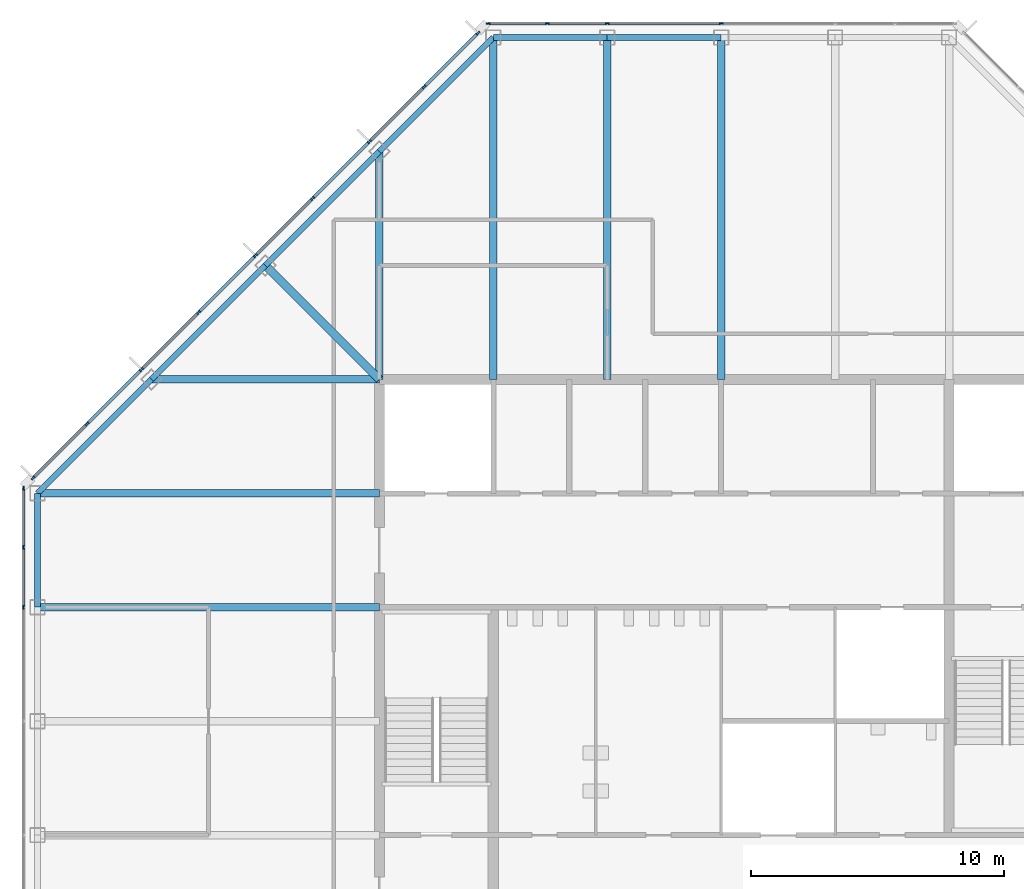
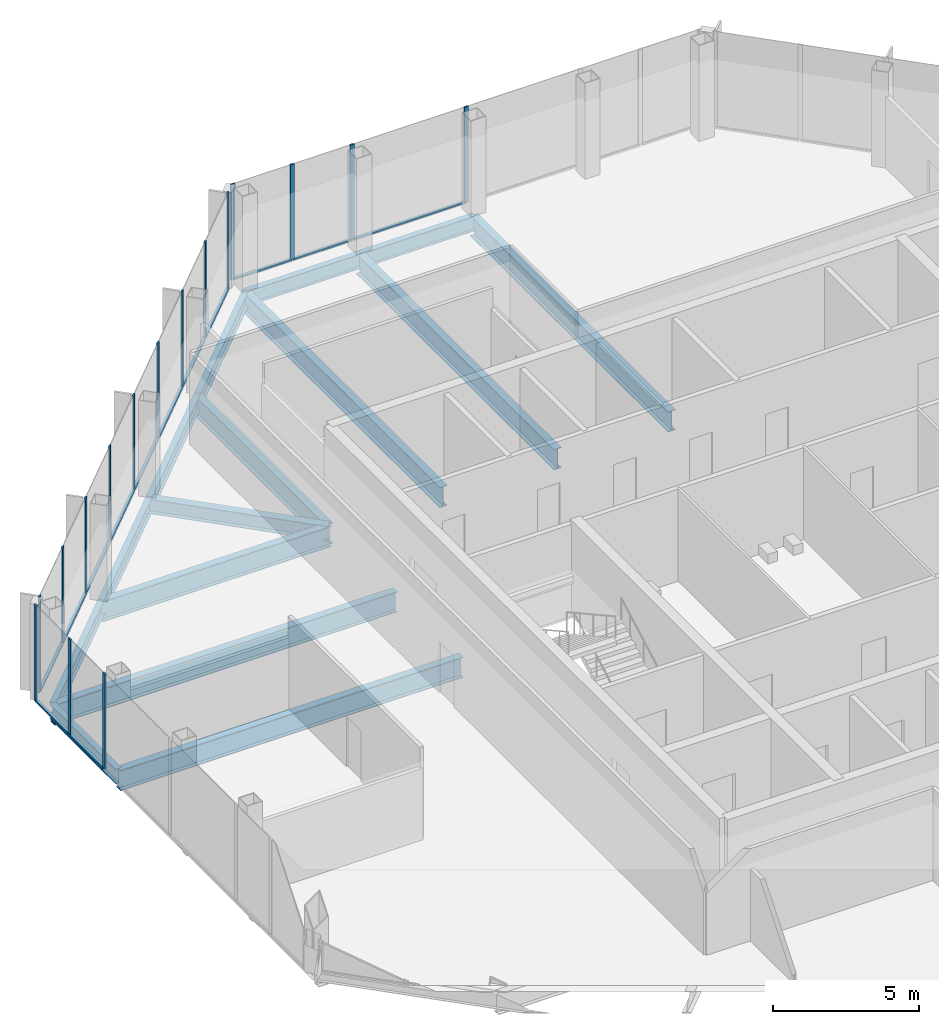
# One storey, part 6 of 13: 29 members, 15 beams, 3 elements without a shape of their own.
"""IFC4 building model written with IfcOpenShell, lengths in metres."""

import ifcopenshell
import ifcopenshell.guid

model = None  # the IFC model being written
_history = None  # IfcOwnerHistory: only IFC2X3 demands one
_inside = {}  # id of a spatial element -> (the spatial element, [elements in it])
_under = {}  # id of a project, library or spatial element -> (it, [spatial elements below it])
_declared = {}  # id of a project -> (the project, [libraries it declares])
_typed = {}  # id of a type object -> (the type object, [elements of that type])
_made_of = {}  # id of a material, layer set ... -> (it, [elements and type objects made of it])


def new_model(schema):
    """Start an empty IFC model of exactly this schema.

    Asked for "IFC4X3", IfcOpenShell would pick the latest addendum, in which some entities
    have other attributes; the version numbers below select the first issue.
    IFC2X3 requires an IfcOwnerHistory on every rooted entity: one is made here for all.
    """
    global model, _history
    if schema == "IFC4X3":
        model = ifcopenshell.file(schema_version=(4, 3, 0, 0))
    else:
        model = ifcopenshell.file(schema=schema)
    _inside.clear()
    _under.clear()
    _declared.clear()
    _typed.clear()
    _made_of.clear()
    _history = None
    if model.schema == "IFC2X3":
        org = make("IfcOrganization", Name="unknown")
        user = make(
            "IfcPersonAndOrganization",
            ThePerson=make("IfcPerson", FamilyName="unknown"),
            TheOrganization=org,
        )
        app = make(
            "IfcApplication",
            ApplicationDeveloper=org,
            Version="unknown",
            ApplicationFullName="unknown",
            ApplicationIdentifier="unknown",
        )
        _history = make(
            "IfcOwnerHistory",
            OwningUser=user,
            OwningApplication=app,
            ChangeAction="ADDED",
            CreationDate=0,
        )
    return model


def make(cls, **values):
    """One entity of the class cls with the attributes given. An attribute that is None is left unset."""
    return model.create_entity(
        cls, **{name: value for name, value in values.items() if value is not None}
    )


def rooted(cls, **values):
    """An entity with a GlobalId (a new one), such as an element, a storey or a relation."""
    return make(cls, GlobalId=ifcopenshell.guid.new(), OwnerHistory=_history, **values)


def si_unit(unit_type, name, prefix=None):
    """IfcSIUnit, for example si_unit("LENGTHUNIT", "METRE", prefix="MILLI")."""
    return make("IfcSIUnit", UnitType=unit_type, Prefix=prefix, Name=name)


def assignment(units):
    """IfcUnitAssignment: the units of a project."""
    return None if units is None else make("IfcUnitAssignment", Units=units)


def point(xyz):
    """IfcCartesianPoint."""
    return None if xyz is None else make("IfcCartesianPoint", Coordinates=xyz)


def direction(xyz):
    """IfcDirection."""
    return None if xyz is None else make("IfcDirection", DirectionRatios=xyz)


def frame(location, z_axis=None, x_axis=None):
    """IfcAxis2Placement3D, a coordinate frame: its origin and axes. An axis left out is left unset."""
    return make(
        "IfcAxis2Placement3D",
        Location=point(location),
        Axis=direction(z_axis),
        RefDirection=direction(x_axis),
    )


def frame_2d(location, x_axis=None):
    """IfcAxis2Placement2D, a coordinate frame in the plane: its origin and x axis."""
    return make(
        "IfcAxis2Placement2D", Location=point(location), RefDirection=direction(x_axis)
    )


def origin():
    """The frame at (0, 0, 0) with its axes left unset."""
    return frame((0.0, 0.0, 0.0))


def origin_2d():
    """The frame at (0, 0) in the plane with its x axis left unset."""
    return frame_2d((0.0, 0.0))


def place(relative_to, where):
    """IfcLocalPlacement: puts the frame where relative to a parent placement (None: the world)."""
    return make(
        "IfcLocalPlacement", PlacementRelTo=relative_to, RelativePlacement=where
    )


def context(
    kind, dimensions, precision=None, world=None, true_north=None, identifier=None
):
    """IfcGeometricRepresentationContext, for example the 3D "Model" context."""
    return make(
        "IfcGeometricRepresentationContext",
        ContextIdentifier=identifier,
        ContextType=kind,
        CoordinateSpaceDimension=dimensions,
        Precision=precision,
        WorldCoordinateSystem=world,
        TrueNorth=true_north,
    )


def subcontext(parent, identifier, kind, view, scale=None):
    """IfcGeometricRepresentationSubContext, for example "Body" below "Model"."""
    return make(
        "IfcGeometricRepresentationSubContext",
        ContextIdentifier=identifier,
        ContextType=kind,
        ParentContext=parent,
        TargetScale=scale,
        TargetView=view,
    )


def project(units=None, contexts=None):
    """IfcProject with its units and contexts."""
    return rooted(
        "IfcProject",
        Name="project",
        RepresentationContexts=contexts,
        UnitsInContext=assignment(units),
    )


def spatial(cls, under=None, at=None, **own):
    """A site, building, storey or space (cls), placed at a placement, below another one or the project."""
    s = rooted(cls, ObjectPlacement=at, **own)
    if under is not None:
        _under.setdefault(under.id(), (under, []))[1].append(s)
    return s


def profile(cls, at=None, kind="AREA", **sizes):
    """A parametric profile (cls). Its sizes go by their IFC names, for example OverallWidth=200.0."""
    return make(cls, ProfileType=kind, Position=at, **sizes)


def rectangle(**sizes):
    """IfcRectangleProfileDef."""
    return profile("IfcRectangleProfileDef", **sizes)


def i_section(**sizes):
    """IfcIShapeProfileDef."""
    return profile("IfcIShapeProfileDef", **sizes)


def extrude(swept, where, along, depth):
    """IfcExtrudedAreaSolid: the profile swept, set in the frame where, extruded along a direction by depth."""
    return make(
        "IfcExtrudedAreaSolid",
        SweptArea=swept,
        Position=where,
        ExtrudedDirection=direction(along),
        Depth=depth,
    )


def shape(context_of_items, identifier, shape_type, items):
    """IfcShapeRepresentation: the items that make up one representation, for example the "Body"."""
    return make(
        "IfcShapeRepresentation",
        ContextOfItems=context_of_items,
        RepresentationIdentifier=identifier,
        RepresentationType=shape_type,
        Items=items,
    )


def material(Name=None, Category=None):
    """IfcMaterial."""
    return make("IfcMaterial", Name=Name, Category=Category)


def material_profile(
    of_material, cross_section, Name=None, Category=None, Priority=None
):
    """IfcMaterialProfile: a cross section and its material."""
    return make(
        "IfcMaterialProfile",
        Name=Name,
        Material=of_material,
        Profile=cross_section,
        Priority=Priority,
        Category=Category,
    )


def profile_set(profiles, Name=None, composite=None):
    """IfcMaterialProfileSet."""
    return make(
        "IfcMaterialProfileSet",
        Name=Name,
        MaterialProfiles=profiles,
        CompositeProfile=composite,
    )


def made_of(thing, what):
    """Note that an element or type object is made of a material, layer set ...; save() writes the relation."""
    if what is not None:
        _made_of.setdefault(what.id(), (what, []))[1].append(thing)
    return thing


def type_object(cls, material=None, **own):
    """A type object (cls), such as IfcWallType, which elements share."""
    return made_of(rooted(cls, **own), material)


def element(
    cls,
    number,
    at=None,
    inside=None,
    cuts=None,
    type_object=None,
    material=None,
    context=None,
    identifier="Body",
    shape_type=None,
    held_by="IfcProductDefinitionShape",
    body=None,
    shapes=None,
    **own,
):
    """One element of the class cls, such as IfcWall. Its Tag is "e" and its number.

    at: its placement. inside: the storey or other place that contains it. cuts: it is an
    opening in that element (IfcRelVoidsElement). A single representation is given by context,
    identifier, shape_type and body (its items); several are given by shapes. held_by: the class
    of the entity that holds the representations. save() writes the other relations.
    """
    e = rooted(cls, Tag="e%d" % number, ObjectPlacement=at, **own)
    if body is not None:
        shapes = [shape(context, identifier, shape_type, body)]
    if shapes is not None:
        e.Representation = make(held_by, Representations=shapes)
    if inside is not None:
        _inside.setdefault(inside.id(), (inside, []))[1].append(e)
    if cuts is not None:
        rooted(
            "IfcRelVoidsElement", RelatingBuildingElement=cuts, RelatedOpeningElement=e
        )
    if type_object is not None:
        _typed.setdefault(type_object.id(), (type_object, []))[1].append(e)
    return made_of(e, material)


def aggregate(whole, parts):
    """IfcRelAggregates: a whole, such as a stair, and the parts it consists of."""
    return rooted("IfcRelAggregates", RelatingObject=whole, RelatedObjects=parts)


def save(model, path):
    """Write the relations noted so far, then the file.

    IfcRelAggregates (storeys below a building ...), IfcRelContainedInSpatialStructure (elements
    in a storey), IfcRelDefinesByType, IfcRelAssociatesMaterial and IfcRelDeclares: one each for
    every whole, place, type object, material and project.
    """
    for whole, parts in _under.values():
        aggregate(whole, parts)
    for where, things in _inside.values():
        rooted(
            "IfcRelContainedInSpatialStructure",
            RelatedElements=things,
            RelatingStructure=where,
        )
    for kind, things in _typed.values():
        rooted("IfcRelDefinesByType", RelatedObjects=things, RelatingType=kind)
    for what, things in _made_of.values():
        rooted("IfcRelAssociatesMaterial", RelatedObjects=things, RelatingMaterial=what)
    for by, libraries in _declared.values():
        rooted("IfcRelDeclares", RelatingContext=by, RelatedDefinitions=libraries)
    model.write(path)


model = new_model("IFC4")

# Units and contexts
model_context = context("Model", 3, precision=1e-05, world=origin(), true_north=direction((0.0, 1.0)))
body_context = subcontext(model_context, "Body", "Model", "MODEL_VIEW")
ifc_project = project(units=[si_unit("LENGTHUNIT", "METRE"), si_unit("AREAUNIT", "SQUARE_METRE"), si_unit("VOLUMEUNIT", "CUBIC_METRE"), si_unit("PLANEANGLEUNIT", "RADIAN"), si_unit("MASSUNIT", "GRAM", prefix="KILO")], contexts=[model_context])

# Site, building, storey
site_placement = place(None, origin())
site = spatial("IfcSite", under=ifc_project, at=site_placement, CompositionType="ELEMENT")
building_placement = place(site_placement, origin())
building = spatial("IfcBuilding", under=site, at=building_placement, Name="Corais Broadcast Tower", CompositionType="ELEMENT")
storey_placement = place(building_placement, frame((0.0, 0.0, 274.60009765625)))
storey = spatial("IfcBuildingStorey", under=building, at=storey_placement, Name="L64", CompositionType="ELEMENT", Elevation=274.60009765625)

# Beams
ifc_material_1 = material(Name="Steel ASTM A572 Grade 50", Category="steel")
ifc_material_profile_1 = material_profile(ifc_material_1, i_section(OverallWidth=0.323974609375, OverallDepth=0.611083984375, WebThickness=0.0126953125, FlangeThickness=0.01904296875, at=origin_2d()), Name="W610x155")
ifc_profile_set_1 = profile_set([ifc_material_profile_1], Name="Steel ASTM A572 Grade 50")
beam_type_1 = type_object("IfcBeamType", Name="Corner diagonal W610x155", PredefinedType="BEAM", material=ifc_profile_set_1)
beam_1_placement = place(storey_placement, frame((9.0, 45.0, -0.465576171875), z_axis=(0.707106781187, -0.707106781187, 0.0), x_axis=(0.707106781187, 0.707106781187, 0.0)))
element("IfcBeam", 1, at=beam_1_placement, inside=storey, type_object=beam_type_1, Name="B6 L/5 to K/6", PredefinedType="BEAM", context=body_context, shape_type="SweptSolid", body=[
    extrude(i_section(OverallWidth=0.323974609375, OverallDepth=0.611083984375, WebThickness=0.0126953125, FlangeThickness=0.01904296875, at=origin_2d()), origin(), (0.0, 0.0, 1.0), 6.364013671875),
])
ifc_material_2 = material(Name="Steel ASTM A572 Grade 50", Category="steel")
ifc_material_profile_2 = material_profile(ifc_material_2, i_section(OverallWidth=0.2939453125, OverallDepth=0.85107421875, WebThickness=0.01611328125, FlangeThickness=0.02685546875, at=origin_2d()), Name="W840x226")
ifc_profile_set_2 = profile_set([ifc_material_profile_2], Name="Steel ASTM A572 Grade 50")
beam_type_2 = type_object("IfcBeamType", Name="Floor beam W840x226", PredefinedType="BEAM", material=ifc_profile_set_2)
for number, where, z_axis, x_axis, name in (
    (2, (0.0, 31.5, -0.585693359375), (1.0, 0.0, 0.0), (0.0, 1.0, 0.0), "B1 H/3 to H/6"),
    (3, (0.0, 36.0, -0.585693359375), (1.0, 0.0, 0.0), (0.0, 1.0, 0.0), "B1 J/3 to J/6"),
):
    element("IfcBeam", number, at=place(storey_placement, frame(where, z_axis=z_axis, x_axis=x_axis)), inside=storey, type_object=beam_type_2, Name=name, PredefinedType="BEAM", context=body_context, shape_type="SweptSolid", body=[
        extrude(i_section(OverallWidth=0.2939453125, OverallDepth=0.85107421875, WebThickness=0.01611328125, FlangeThickness=0.02685546875, at=origin_2d()), origin(), (0.0, 0.0, 1.0), 13.5),
    ])
beam_2_placement = place(storey_placement, frame((13.5, 49.5, -0.585693359375), z_axis=(0.0, -1.0, 0.0), x_axis=(1.0, 0.0, 0.0)))
element("IfcBeam", 4, at=beam_2_placement, inside=storey, type_object=beam_type_2, Name="B1 M/6 to K/6", PredefinedType="BEAM", context=body_context, shape_type="SweptSolid", body=[
    extrude(i_section(OverallWidth=0.2939453125, OverallDepth=0.85107421875, WebThickness=0.01611328125, FlangeThickness=0.02685546875, at=origin_2d()), origin(), (0.0, 0.0, 1.0), 9.0),
])
for number, where, z_axis, x_axis, name in (
    (5, (18.0, 54.0, -0.585693359375), (0.0, -1.0, 0.0), (1.0, 0.0, 0.0), "B1 N/7 to K/7"),
    (6, (22.5, 54.0, -0.585693359375), (0.0, -1.0, 0.0), (1.0, 0.0, 0.0), "B1 N/8 to K/8"),
    (7, (27.0, 54.0, -0.585693359375), (0.0, -1.0, 0.0), (1.0, 0.0, 0.0), "B1 N/9 to K/9"),
):
    element("IfcBeam", number, at=place(storey_placement, frame(where, z_axis=z_axis, x_axis=x_axis)), inside=storey, type_object=beam_type_2, Name=name, PredefinedType="BEAM", context=body_context, shape_type="SweptSolid", body=[
        extrude(i_section(OverallWidth=0.2939453125, OverallDepth=0.85107421875, WebThickness=0.01611328125, FlangeThickness=0.02685546875, at=origin_2d()), origin(), (0.0, 0.0, 1.0), 13.5),
    ])
beam_3_placement = place(storey_placement, frame((4.5, 40.5, -0.585693359375), z_axis=(1.0, 0.0, 0.0), x_axis=(0.0, 1.0, 0.0)))
element("IfcBeam", 8, at=beam_3_placement, inside=storey, type_object=beam_type_2, Name="B1 K/4 to K/6", PredefinedType="BEAM", context=body_context, shape_type="SweptSolid", body=[
    extrude(i_section(OverallWidth=0.2939453125, OverallDepth=0.85107421875, WebThickness=0.01611328125, FlangeThickness=0.02685546875, at=origin_2d()), origin(), (0.0, 0.0, 1.0), 9.0),
])

# Curtain wall, members
ifc_material_3 = material(Name="Aluminium and glass", Category="aluminium")
curtain_wall_type = type_object("IfcCurtainWallType", Name="Unitised fritted curtain wall CW3", PredefinedType="NOTDEFINED", material=ifc_material_3)
curtain_wall_1_placement = place(storey_placement, origin())
curtain_wall_1 = element("IfcCurtainWall", 9, at=curtain_wall_1_placement, inside=storey, type_object=curtain_wall_type, Name="CW3 curtain wall L64 2", PredefinedType="NOTDEFINED")
ifc_material_4 = material(Name="Aluminium 6063-T6", Category="aluminium")
ifc_material_profile_3 = material_profile(ifc_material_4, rectangle(XDim=0.06494140625, YDim=0.159912109375, at=origin_2d()), Name="Mullion CW3 65x160")
ifc_profile_set_3 = profile_set([ifc_material_profile_3], Name="Aluminium 6063-T6")
member_type_1 = type_object("IfcMemberType", Name="Mullion CW3 65x160", PredefinedType="MULLION", material=ifc_profile_set_3)
member_1_placement = place(storey_placement, frame((-0.550048828125, 31.5, 0.0), z_axis=(0.0, 0.0, 1.0), x_axis=(-1.0, 0.0, 0.0)))
member_1 = element("IfcMember", 10, at=member_1_placement, type_object=member_type_1, Name="CW3 mullion 5", PredefinedType="MULLION", context=body_context, shape_type="SweptSolid", body=[
    extrude(rectangle(XDim=0.06494140625, YDim=0.159912109375, at=origin_2d()), origin(), (0.0, 0.0, 1.0), 4.0),
])
member_2_placement = place(storey_placement, frame((-0.550048828125, 33.864013671875, 0.0), z_axis=(0.0, 0.0, 1.0), x_axis=(-1.0, 0.0, 0.0)))
member_2 = element("IfcMember", 11, at=member_2_placement, type_object=member_type_1, Name="CW3 mullion 6", PredefinedType="MULLION", context=body_context, shape_type="SweptSolid", body=[
    extrude(rectangle(XDim=0.06494140625, YDim=0.159912109375, at=origin_2d()), origin(), (0.0, 0.0, 1.0), 4.0),
])
member_3_placement = place(storey_placement, frame((-0.550048828125, 36.1953125, 0.0), z_axis=(0.0, 0.0, 1.0), x_axis=(-1.0, 0.0, 0.0)))
member_3 = element("IfcMember", 12, at=member_3_placement, type_object=member_type_1, Name="CW3 mullion 7", PredefinedType="MULLION", context=body_context, shape_type="SweptSolid", body=[
    extrude(rectangle(XDim=0.06494140625, YDim=0.159912109375, at=origin_2d()), origin(), (0.0, 0.0, 1.0), 4.0),
])

curtain_wall_2_placement = place(storey_placement, origin())
curtain_wall_2 = element("IfcCurtainWall", 13, at=curtain_wall_2_placement, inside=storey, type_object=curtain_wall_type, Name="CW3 curtain wall L64 3", PredefinedType="NOTDEFINED")
member_4_placement = place(storey_placement, frame((-0.17333984375, 36.6044921875, 0.0), z_axis=(0.0, 0.0, 1.0), x_axis=(-0.707106781187, 0.707106781187, 0.0)))
member_4 = element("IfcMember", 14, at=member_4_placement, type_object=member_type_1, Name="CW3 mullion 1", PredefinedType="MULLION", context=body_context, shape_type="SweptSolid", body=[
    extrude(rectangle(XDim=0.06494140625, YDim=0.159912109375, at=origin_2d()), origin(), (0.0, 0.0, 1.0), 4.0),
])
member_5_placement = place(storey_placement, frame((1.957275390625, 38.735107421875, 0.0), z_axis=(0.0, 0.0, 1.0), x_axis=(-0.707106781187, 0.707106781187, 0.0)))
member_5 = element("IfcMember", 15, at=member_5_placement, type_object=member_type_1, Name="CW3 mullion 2", PredefinedType="MULLION", context=body_context, shape_type="SweptSolid", body=[
    extrude(rectangle(XDim=0.06494140625, YDim=0.159912109375, at=origin_2d()), origin(), (0.0, 0.0, 1.0), 4.0),
])
member_6_placement = place(storey_placement, frame((4.111083984375, 40.888916015625, 0.0), z_axis=(0.0, 0.0, 1.0), x_axis=(-0.707106781187, 0.707106781187, 0.0)))
member_6 = element("IfcMember", 16, at=member_6_placement, type_object=member_type_1, Name="CW3 mullion 3", PredefinedType="MULLION", context=body_context, shape_type="SweptSolid", body=[
    extrude(rectangle(XDim=0.06494140625, YDim=0.159912109375, at=origin_2d()), origin(), (0.0, 0.0, 1.0), 4.0),
])
member_7_placement = place(storey_placement, frame((6.361083984375, 43.138916015625, 0.0), z_axis=(0.0, 0.0, 1.0), x_axis=(-0.707106781187, 0.707106781187, 0.0)))
member_7 = element("IfcMember", 17, at=member_7_placement, type_object=member_type_1, Name="CW3 mullion 4", PredefinedType="MULLION", context=body_context, shape_type="SweptSolid", body=[
    extrude(rectangle(XDim=0.06494140625, YDim=0.159912109375, at=origin_2d()), origin(), (0.0, 0.0, 1.0), 4.0),
])
member_8_placement = place(storey_placement, frame((8.611083984375, 45.388916015625, 0.0), z_axis=(0.0, 0.0, 1.0), x_axis=(-0.707106781187, 0.707106781187, 0.0)))
member_8 = element("IfcMember", 18, at=member_8_placement, type_object=member_type_1, Name="CW3 mullion 5", PredefinedType="MULLION", context=body_context, shape_type="SweptSolid", body=[
    extrude(rectangle(XDim=0.06494140625, YDim=0.159912109375, at=origin_2d()), origin(), (0.0, 0.0, 1.0), 4.0),
])
member_9_placement = place(storey_placement, frame((10.861083984375, 47.638916015625, 0.0), z_axis=(0.0, 0.0, 1.0), x_axis=(-0.707106781187, 0.707106781187, 0.0)))
member_9 = element("IfcMember", 19, at=member_9_placement, type_object=member_type_1, Name="CW3 mullion 6", PredefinedType="MULLION", context=body_context, shape_type="SweptSolid", body=[
    extrude(rectangle(XDim=0.06494140625, YDim=0.159912109375, at=origin_2d()), origin(), (0.0, 0.0, 1.0), 4.0),
])
member_10_placement = place(storey_placement, frame((13.111083984375, 49.888916015625, 0.0), z_axis=(0.0, 0.0, 1.0), x_axis=(-0.707106781187, 0.707106781187, 0.0)))
member_10 = element("IfcMember", 20, at=member_10_placement, type_object=member_type_1, Name="CW3 mullion 7", PredefinedType="MULLION", context=body_context, shape_type="SweptSolid", body=[
    extrude(rectangle(XDim=0.06494140625, YDim=0.159912109375, at=origin_2d()), origin(), (0.0, 0.0, 1.0), 4.0),
])
member_11_placement = place(storey_placement, frame((15.264892578125, 52.042724609375, 0.0), z_axis=(0.0, 0.0, 1.0), x_axis=(-0.707106781187, 0.707106781187, 0.0)))
member_11 = element("IfcMember", 21, at=member_11_placement, type_object=member_type_1, Name="CW3 mullion 8", PredefinedType="MULLION", context=body_context, shape_type="SweptSolid", body=[
    extrude(rectangle(XDim=0.06494140625, YDim=0.159912109375, at=origin_2d()), origin(), (0.0, 0.0, 1.0), 4.0),
])
member_12_placement = place(storey_placement, frame((17.3955078125, 54.17333984375, 0.0), z_axis=(0.0, 0.0, 1.0), x_axis=(-0.707106781187, 0.707106781187, 0.0)))
member_12 = element("IfcMember", 22, at=member_12_placement, type_object=member_type_1, Name="CW3 mullion 9", PredefinedType="MULLION", context=body_context, shape_type="SweptSolid", body=[
    extrude(rectangle(XDim=0.06494140625, YDim=0.159912109375, at=origin_2d()), origin(), (0.0, 0.0, 1.0), 4.0),
])

curtain_wall_3_placement = place(storey_placement, origin())
curtain_wall_3 = element("IfcCurtainWall", 23, at=curtain_wall_3_placement, inside=storey, type_object=curtain_wall_type, Name="CW3 curtain wall L64 4", PredefinedType="NOTDEFINED")
member_13_placement = place(storey_placement, frame((17.8046875, 54.550048828125, 0.0), z_axis=(0.0, 0.0, 1.0), x_axis=(0.0, 1.0, 0.0)))
member_13 = element("IfcMember", 24, at=member_13_placement, type_object=member_type_1, Name="CW3 mullion 1", PredefinedType="MULLION", context=body_context, shape_type="SweptSolid", body=[
    extrude(rectangle(XDim=0.06494140625, YDim=0.159912109375, at=origin_2d()), origin(), (0.0, 0.0, 1.0), 4.0),
])
member_14_placement = place(storey_placement, frame((20.135986328125, 54.550048828125, 0.0), z_axis=(0.0, 0.0, 1.0), x_axis=(0.0, 1.0, 0.0)))
member_14 = element("IfcMember", 25, at=member_14_placement, type_object=member_type_1, Name="CW3 mullion 2", PredefinedType="MULLION", context=body_context, shape_type="SweptSolid", body=[
    extrude(rectangle(XDim=0.06494140625, YDim=0.159912109375, at=origin_2d()), origin(), (0.0, 0.0, 1.0), 4.0),
])
member_15_placement = place(storey_placement, frame((22.5, 54.550048828125, 0.0), z_axis=(0.0, 0.0, 1.0), x_axis=(0.0, 1.0, 0.0)))
member_15 = element("IfcMember", 26, at=member_15_placement, type_object=member_type_1, Name="CW3 mullion 3", PredefinedType="MULLION", context=body_context, shape_type="SweptSolid", body=[
    extrude(rectangle(XDim=0.06494140625, YDim=0.159912109375, at=origin_2d()), origin(), (0.0, 0.0, 1.0), 4.0),
])
member_16_placement = place(storey_placement, frame((27.0, 54.550048828125, 0.0), z_axis=(0.0, 0.0, 1.0), x_axis=(0.0, 1.0, 0.0)))
member_16 = element("IfcMember", 27, at=member_16_placement, type_object=member_type_1, Name="CW3 mullion 4", PredefinedType="MULLION", context=body_context, shape_type="SweptSolid", body=[
    extrude(rectangle(XDim=0.06494140625, YDim=0.159912109375, at=origin_2d()), origin(), (0.0, 0.0, 1.0), 4.0),
])

# Beams
ifc_material_5 = material(Name="Steel ASTM A572 Grade 50", Category="steel")
ifc_material_profile_4 = material_profile(ifc_material_5, i_section(OverallWidth=0.22998046875, OverallDepth=0.616943359375, WebThickness=0.01318359375, FlangeThickness=0.022216796875, at=origin_2d()), Name="W610x140")
ifc_profile_set_4 = profile_set([ifc_material_profile_4], Name="Steel ASTM A572 Grade 50")
beam_type_3 = type_object("IfcBeamType", Name="Spandrel W610x140", PredefinedType="BEAM", material=ifc_profile_set_4)
beam_4_placement = place(storey_placement, frame((0.0, 36.0, -0.468505859375), z_axis=(0.0, -1.0, 0.0), x_axis=(1.0, 0.0, 0.0)))
element("IfcBeam", 28, at=beam_4_placement, inside=storey, type_object=beam_type_3, Name="SB3 J/3 to H/3", PredefinedType="BEAM", context=body_context, shape_type="SweptSolid", body=[
    extrude(i_section(OverallWidth=0.22998046875, OverallDepth=0.616943359375, WebThickness=0.01318359375, FlangeThickness=0.022216796875, at=origin_2d()), origin(), (0.0, 0.0, 1.0), 4.5),
])
for number, where, z_axis, x_axis, name in (
    (29, (13.5, 49.5, -0.468505859375), (-0.707106781187, -0.707106781187, 0.0), (0.707106781187, -0.707106781187, 0.0), "SB3 M/6 to L/5"),
    (30, (18.0, 54.0, -0.468505859375), (-0.707106781187, -0.707106781187, 0.0), (0.707106781187, -0.707106781187, 0.0), "SB3 N/7 to M/6"),
):
    element("IfcBeam", number, at=place(storey_placement, frame(where, z_axis=z_axis, x_axis=x_axis)), inside=storey, type_object=beam_type_3, Name=name, PredefinedType="BEAM", context=body_context, shape_type="SweptSolid", body=[
        extrude(i_section(OverallWidth=0.22998046875, OverallDepth=0.616943359375, WebThickness=0.01318359375, FlangeThickness=0.022216796875, at=origin_2d()), origin(), (0.0, 0.0, 1.0), 6.364013671875),
    ])
for number, where, z_axis, x_axis, name in (
    (31, (22.5, 54.0, -0.468505859375), (-1.0, 0.0, 0.0), (0.0, -1.0, 0.0), "SB3 N/8 to N/7"),
    (32, (27.0, 54.0, -0.468505859375), (-1.0, 0.0, 0.0), (0.0, -1.0, 0.0), "SB3 N/9 to N/8"),
):
    element("IfcBeam", number, at=place(storey_placement, frame(where, z_axis=z_axis, x_axis=x_axis)), inside=storey, type_object=beam_type_3, Name=name, PredefinedType="BEAM", context=body_context, shape_type="SweptSolid", body=[
        extrude(i_section(OverallWidth=0.22998046875, OverallDepth=0.616943359375, WebThickness=0.01318359375, FlangeThickness=0.022216796875, at=origin_2d()), origin(), (0.0, 0.0, 1.0), 4.5),
    ])
for number, where, z_axis, x_axis, name in (
    (33, (4.5, 40.5, -0.468505859375), (-0.707106781187, -0.707106781187, 0.0), (0.707106781187, -0.707106781187, 0.0), "SB3 K/4 to J/3"),
    (34, (9.0, 45.0, -0.468505859375), (-0.707106781187, -0.707106781187, 0.0), (0.707106781187, -0.707106781187, 0.0), "SB3 L/5 to K/4"),
):
    element("IfcBeam", number, at=place(storey_placement, frame(where, z_axis=z_axis, x_axis=x_axis)), inside=storey, type_object=beam_type_3, Name=name, PredefinedType="BEAM", context=body_context, shape_type="SweptSolid", body=[
        extrude(i_section(OverallWidth=0.22998046875, OverallDepth=0.616943359375, WebThickness=0.01318359375, FlangeThickness=0.022216796875, at=origin_2d()), origin(), (0.0, 0.0, 1.0), 6.364013671875),
    ])

# Member
ifc_material_6 = material(Name="Aluminium 6063-T6", Category="aluminium")
ifc_material_profile_5 = material_profile(ifc_material_6, rectangle(XDim=0.1201171875, YDim=0.06494140625, at=origin_2d()), Name="Transom CW3 65x120")
ifc_profile_set_5 = profile_set([ifc_material_profile_5], Name="Aluminium 6063-T6")
member_type_2 = type_object("IfcMemberType", Name="Transom CW3 65x120", PredefinedType="USERDEFINED", material=ifc_profile_set_5)
member_17_placement = place(storey_placement, frame((-0.550048828125, 31.532470703125, 0.032470703125), z_axis=(0.0, 1.0, 0.0), x_axis=(-1.0, 0.0, 0.0)))
member_17 = element("IfcMember", 35, at=member_17_placement, type_object=member_type_2, Name="CW3 transom 5.1", ObjectType="TRANSOM", PredefinedType="USERDEFINED", context=body_context, shape_type="SweptSolid", body=[
    extrude(rectangle(XDim=0.1201171875, YDim=0.06494140625, at=origin_2d()), origin(), (0.0, 0.0, 1.0), 2.298828125),
])

member_18_placement = place(storey_placement, frame((-0.550048828125, 33.896484375, 0.032470703125), z_axis=(0.0, 1.0, 0.0), x_axis=(-1.0, 0.0, 0.0)))
member_18 = element("IfcMember", 36, at=member_18_placement, type_object=member_type_2, Name="CW3 transom 6.1", ObjectType="TRANSOM", PredefinedType="USERDEFINED", context=body_context, shape_type="SweptSolid", body=[
    extrude(rectangle(XDim=0.1201171875, YDim=0.06494140625, at=origin_2d()), origin(), (0.0, 0.0, 1.0), 2.266357421875),
])

aggregate(curtain_wall_1, [member_1, member_2, member_3, member_17, member_18])

member_19_placement = place(storey_placement, frame((-0.150390625, 36.62744140625, 0.032470703125), z_axis=(0.707106781187, 0.707106781187, 0.0), x_axis=(-0.707106781187, 0.707106781187, 0.0)))
member_19 = element("IfcMember", 37, at=member_19_placement, type_object=member_type_2, Name="CW3 transom 1.1", ObjectType="TRANSOM", PredefinedType="USERDEFINED", context=body_context, shape_type="SweptSolid", body=[
    extrude(rectangle(XDim=0.1201171875, YDim=0.06494140625, at=origin_2d()), origin(), (0.0, 0.0, 1.0), 2.9482421875),
])

member_20_placement = place(storey_placement, frame((1.980224609375, 38.758056640625, 0.032470703125), z_axis=(0.707106781187, 0.707106781187, 0.0), x_axis=(-0.707106781187, 0.707106781187, 0.0)))
member_20 = element("IfcMember", 38, at=member_20_placement, type_object=member_type_2, Name="CW3 transom 2.1", ObjectType="TRANSOM", PredefinedType="USERDEFINED", context=body_context, shape_type="SweptSolid", body=[
    extrude(rectangle(XDim=0.1201171875, YDim=0.06494140625, at=origin_2d()), origin(), (0.0, 0.0, 1.0), 2.98095703125),
])

member_21_placement = place(storey_placement, frame((4.134033203125, 40.911865234375, 0.032470703125), z_axis=(0.707106781187, 0.707106781187, 0.0), x_axis=(-0.707106781187, 0.707106781187, 0.0)))
member_21 = element("IfcMember", 39, at=member_21_placement, type_object=member_type_2, Name="CW3 transom 3.1", ObjectType="TRANSOM", PredefinedType="USERDEFINED", context=body_context, shape_type="SweptSolid", body=[
    extrude(rectangle(XDim=0.1201171875, YDim=0.06494140625, at=origin_2d()), origin(), (0.0, 0.0, 1.0), 3.1171875),
])

member_22_placement = place(storey_placement, frame((6.384033203125, 43.161865234375, 0.032470703125), z_axis=(0.707106781187, 0.707106781187, 0.0), x_axis=(-0.707106781187, 0.707106781187, 0.0)))
member_22 = element("IfcMember", 40, at=member_22_placement, type_object=member_type_2, Name="CW3 transom 4.1", ObjectType="TRANSOM", PredefinedType="USERDEFINED", context=body_context, shape_type="SweptSolid", body=[
    extrude(rectangle(XDim=0.1201171875, YDim=0.06494140625, at=origin_2d()), origin(), (0.0, 0.0, 1.0), 3.1171875),
])

member_23_placement = place(storey_placement, frame((8.634033203125, 45.411865234375, 0.032470703125), z_axis=(0.707106781187, 0.707106781187, 0.0), x_axis=(-0.707106781187, 0.707106781187, 0.0)))
member_23 = element("IfcMember", 41, at=member_23_placement, type_object=member_type_2, Name="CW3 transom 5.1", ObjectType="TRANSOM", PredefinedType="USERDEFINED", context=body_context, shape_type="SweptSolid", body=[
    extrude(rectangle(XDim=0.1201171875, YDim=0.06494140625, at=origin_2d()), origin(), (0.0, 0.0, 1.0), 3.1171875),
])

member_24_placement = place(storey_placement, frame((10.884033203125, 47.661865234375, 0.032470703125), z_axis=(0.707106781187, 0.707106781187, 0.0), x_axis=(-0.707106781187, 0.707106781187, 0.0)))
member_24 = element("IfcMember", 42, at=member_24_placement, type_object=member_type_2, Name="CW3 transom 6.1", ObjectType="TRANSOM", PredefinedType="USERDEFINED", context=body_context, shape_type="SweptSolid", body=[
    extrude(rectangle(XDim=0.1201171875, YDim=0.06494140625, at=origin_2d()), origin(), (0.0, 0.0, 1.0), 3.1171875),
])

member_25_placement = place(storey_placement, frame((13.134033203125, 49.911865234375, 0.032470703125), z_axis=(0.70714773134, 0.707065828661, 0.0), x_axis=(-0.707065828661, 0.70714773134, 0.0)))
member_25 = element("IfcMember", 43, at=member_25_placement, type_object=member_type_2, Name="CW3 transom 7.1", ObjectType="TRANSOM", PredefinedType="USERDEFINED", context=body_context, shape_type="SweptSolid", body=[
    extrude(rectangle(XDim=0.1201171875, YDim=0.06494140625, at=origin_2d()), origin(), (0.0, 0.0, 1.0), 2.98095703125),
])

member_26_placement = place(storey_placement, frame((15.287841796875, 52.065673828125, 0.032470703125), z_axis=(0.707106781187, 0.707106781187, 0.0), x_axis=(-0.707106781187, 0.707106781187, 0.0)))
member_26 = element("IfcMember", 44, at=member_26_placement, type_object=member_type_2, Name="CW3 transom 8.1", ObjectType="TRANSOM", PredefinedType="USERDEFINED", context=body_context, shape_type="SweptSolid", body=[
    extrude(rectangle(XDim=0.1201171875, YDim=0.06494140625, at=origin_2d()), origin(), (0.0, 0.0, 1.0), 2.9482421875),
])

aggregate(curtain_wall_2, [member_4, member_5, member_6, member_7, member_8, member_9, member_10, member_11, member_12, member_19, member_20, member_21, member_22, member_23, member_24, member_25, member_26])

member_27_placement = place(storey_placement, frame((17.837158203125, 54.550048828125, 0.032470703125), z_axis=(1.0, 0.0, 0.0), x_axis=(0.0, 1.0, 0.0)))
member_27 = element("IfcMember", 45, at=member_27_placement, type_object=member_type_2, Name="CW3 transom 1.1", ObjectType="TRANSOM", PredefinedType="USERDEFINED", context=body_context, shape_type="SweptSolid", body=[
    extrude(rectangle(XDim=0.1201171875, YDim=0.06494140625, at=origin_2d()), origin(), (0.0, 0.0, 1.0), 2.266357421875),
])

member_28_placement = place(storey_placement, frame((20.168701171875, 54.550048828125, 0.032470703125), z_axis=(1.0, 0.0, 0.0), x_axis=(0.0, 1.0, 0.0)))
member_28 = element("IfcMember", 46, at=member_28_placement, type_object=member_type_2, Name="CW3 transom 2.1", ObjectType="TRANSOM", PredefinedType="USERDEFINED", context=body_context, shape_type="SweptSolid", body=[
    extrude(rectangle(XDim=0.1201171875, YDim=0.06494140625, at=origin_2d()), origin(), (0.0, 0.0, 1.0), 2.298828125),
])

member_29_placement = place(storey_placement, frame((22.532470703125, 54.550048828125, 0.032470703125), z_axis=(1.0, 0.0, 0.0), x_axis=(0.0, 1.0, 0.0)))
member_29 = element("IfcMember", 47, at=member_29_placement, type_object=member_type_2, Name="CW3 transom 3.1", ObjectType="TRANSOM", PredefinedType="USERDEFINED", context=body_context, shape_type="SweptSolid", body=[
    extrude(rectangle(XDim=0.1201171875, YDim=0.06494140625, at=origin_2d()), origin(), (0.0, 0.0, 1.0), 4.43505859375),
])

aggregate(curtain_wall_3, [member_13, member_14, member_15, member_16, member_27, member_28, member_29])

save(model, "model.ifc")
